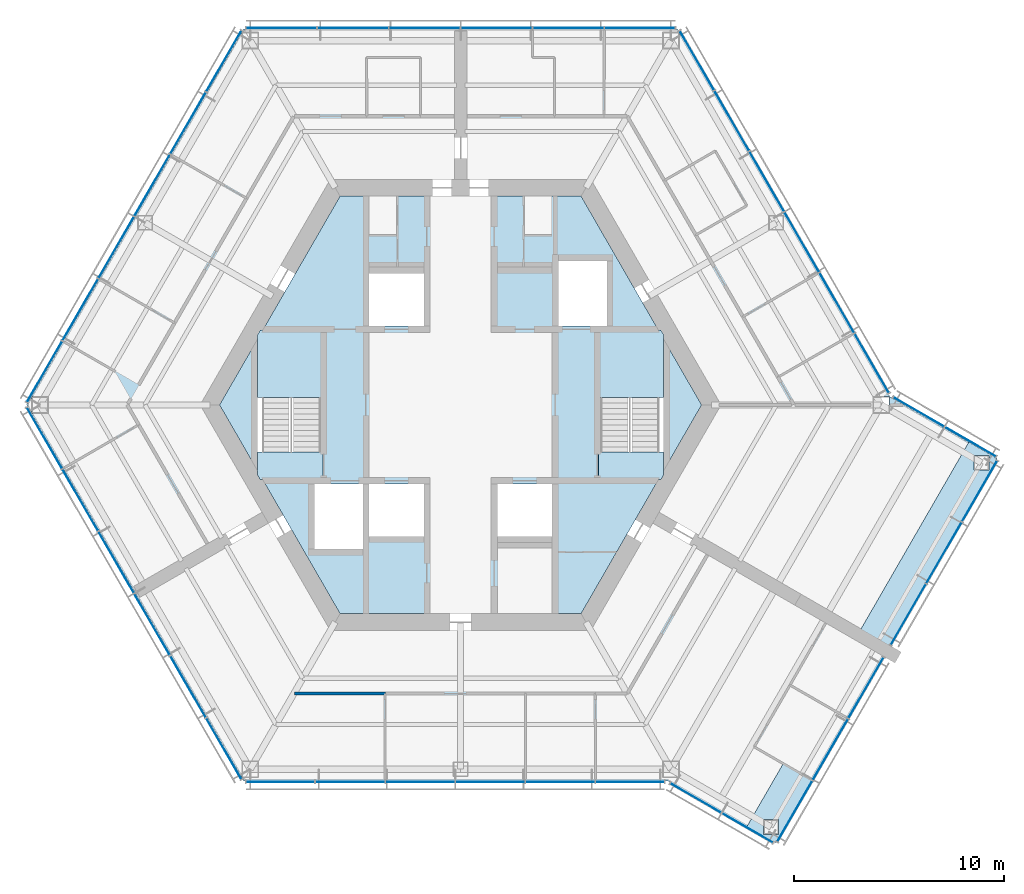
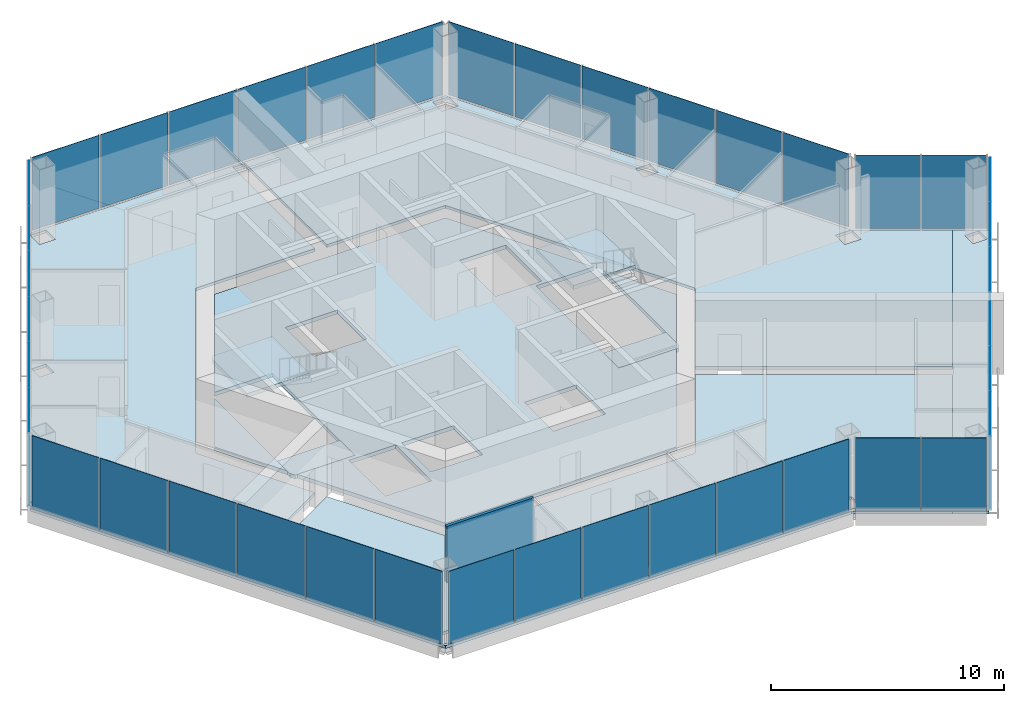
# One storey, part 6 of 13: 40 plates, 9 slabs, 1 wall, 11 elements without a shape of their own.
"""IFC4 building model written with IfcOpenShell, lengths in metres."""

import ifcopenshell
import ifcopenshell.guid

model = None  # the IFC model being written
_history = None  # IfcOwnerHistory: only IFC2X3 demands one
_inside = {}  # id of a spatial element -> (the spatial element, [elements in it])
_under = {}  # id of a project, library or spatial element -> (it, [spatial elements below it])
_declared = {}  # id of a project -> (the project, [libraries it declares])
_typed = {}  # id of a type object -> (the type object, [elements of that type])
_made_of = {}  # id of a material, layer set ... -> (it, [elements and type objects made of it])


def new_model(schema):
    """Start an empty IFC model of exactly this schema.

    Asked for "IFC4X3", IfcOpenShell would pick the latest addendum, in which some entities
    have other attributes; the version numbers below select the first issue.
    IFC2X3 requires an IfcOwnerHistory on every rooted entity: one is made here for all.
    """
    global model, _history
    if schema == "IFC4X3":
        model = ifcopenshell.file(schema_version=(4, 3, 0, 0))
    else:
        model = ifcopenshell.file(schema=schema)
    _inside.clear()
    _under.clear()
    _declared.clear()
    _typed.clear()
    _made_of.clear()
    _history = None
    if model.schema == "IFC2X3":
        org = make("IfcOrganization", Name="unknown")
        user = make(
            "IfcPersonAndOrganization",
            ThePerson=make("IfcPerson", FamilyName="unknown"),
            TheOrganization=org,
        )
        app = make(
            "IfcApplication",
            ApplicationDeveloper=org,
            Version="unknown",
            ApplicationFullName="unknown",
            ApplicationIdentifier="unknown",
        )
        _history = make(
            "IfcOwnerHistory",
            OwningUser=user,
            OwningApplication=app,
            ChangeAction="ADDED",
            CreationDate=0,
        )
    return model


def make(cls, **values):
    """One entity of the class cls with the attributes given. An attribute that is None is left unset."""
    return model.create_entity(
        cls, **{name: value for name, value in values.items() if value is not None}
    )


def rooted(cls, **values):
    """An entity with a GlobalId (a new one), such as an element, a storey or a relation."""
    return make(cls, GlobalId=ifcopenshell.guid.new(), OwnerHistory=_history, **values)


def si_unit(unit_type, name, prefix=None):
    """IfcSIUnit, for example si_unit("LENGTHUNIT", "METRE", prefix="MILLI")."""
    return make("IfcSIUnit", UnitType=unit_type, Prefix=prefix, Name=name)


def assignment(units):
    """IfcUnitAssignment: the units of a project."""
    return None if units is None else make("IfcUnitAssignment", Units=units)


def point(xyz):
    """IfcCartesianPoint."""
    return None if xyz is None else make("IfcCartesianPoint", Coordinates=xyz)


def direction(xyz):
    """IfcDirection."""
    return None if xyz is None else make("IfcDirection", DirectionRatios=xyz)


def frame(location, z_axis=None, x_axis=None):
    """IfcAxis2Placement3D, a coordinate frame: its origin and axes. An axis left out is left unset."""
    return make(
        "IfcAxis2Placement3D",
        Location=point(location),
        Axis=direction(z_axis),
        RefDirection=direction(x_axis),
    )


def frame_2d(location, x_axis=None):
    """IfcAxis2Placement2D, a coordinate frame in the plane: its origin and x axis."""
    return make(
        "IfcAxis2Placement2D", Location=point(location), RefDirection=direction(x_axis)
    )


def origin():
    """The frame at (0, 0, 0) with its axes left unset."""
    return frame((0.0, 0.0, 0.0))


def origin_2d():
    """The frame at (0, 0) in the plane with its x axis left unset."""
    return frame_2d((0.0, 0.0))


def place(relative_to, where):
    """IfcLocalPlacement: puts the frame where relative to a parent placement (None: the world)."""
    return make(
        "IfcLocalPlacement", PlacementRelTo=relative_to, RelativePlacement=where
    )


def context(
    kind, dimensions, precision=None, world=None, true_north=None, identifier=None
):
    """IfcGeometricRepresentationContext, for example the 3D "Model" context."""
    return make(
        "IfcGeometricRepresentationContext",
        ContextIdentifier=identifier,
        ContextType=kind,
        CoordinateSpaceDimension=dimensions,
        Precision=precision,
        WorldCoordinateSystem=world,
        TrueNorth=true_north,
    )


def subcontext(parent, identifier, kind, view, scale=None):
    """IfcGeometricRepresentationSubContext, for example "Body" below "Model"."""
    return make(
        "IfcGeometricRepresentationSubContext",
        ContextIdentifier=identifier,
        ContextType=kind,
        ParentContext=parent,
        TargetScale=scale,
        TargetView=view,
    )


def project(units=None, contexts=None):
    """IfcProject with its units and contexts."""
    return rooted(
        "IfcProject",
        Name="project",
        RepresentationContexts=contexts,
        UnitsInContext=assignment(units),
    )


def spatial(cls, under=None, at=None, **own):
    """A site, building, storey or space (cls), placed at a placement, below another one or the project."""
    s = rooted(cls, ObjectPlacement=at, **own)
    if under is not None:
        _under.setdefault(under.id(), (under, []))[1].append(s)
    return s


def polyline(points):
    """IfcPolyline through the points."""
    return make("IfcPolyline", Points=[point(p) for p in points])


def profile(cls, at=None, kind="AREA", **sizes):
    """A parametric profile (cls). Its sizes go by their IFC names, for example OverallWidth=200.0."""
    return make(cls, ProfileType=kind, Position=at, **sizes)


def rectangle(**sizes):
    """IfcRectangleProfileDef."""
    return profile("IfcRectangleProfileDef", **sizes)


def outline(outer, holes=None, kind="AREA"):
    """IfcArbitraryClosedProfileDef: a profile drawn as a closed curve; with holes, ...WithVoids."""
    if holes is None:
        return make("IfcArbitraryClosedProfileDef", ProfileType=kind, OuterCurve=outer)
    return make(
        "IfcArbitraryProfileDefWithVoids",
        ProfileType=kind,
        OuterCurve=outer,
        InnerCurves=holes,
    )


def extrude(swept, where, along, depth):
    """IfcExtrudedAreaSolid: the profile swept, set in the frame where, extruded along a direction by depth."""
    return make(
        "IfcExtrudedAreaSolid",
        SweptArea=swept,
        Position=where,
        ExtrudedDirection=direction(along),
        Depth=depth,
    )


def shape(context_of_items, identifier, shape_type, items):
    """IfcShapeRepresentation: the items that make up one representation, for example the "Body"."""
    return make(
        "IfcShapeRepresentation",
        ContextOfItems=context_of_items,
        RepresentationIdentifier=identifier,
        RepresentationType=shape_type,
        Items=items,
    )


def material(Name=None, Category=None):
    """IfcMaterial."""
    return make("IfcMaterial", Name=Name, Category=Category)


def layer(
    of_material, thickness, ventilated=None, Name=None, Category=None, Priority=None
):
    """IfcMaterialLayer: one layer of a wall or slab, of a material (None: an air gap)."""
    return make(
        "IfcMaterialLayer",
        Material=of_material,
        LayerThickness=thickness,
        IsVentilated=ventilated,
        Name=Name,
        Category=Category,
        Priority=Priority,
    )


def layer_set(layers, Name=None):
    """IfcMaterialLayerSet."""
    return make("IfcMaterialLayerSet", MaterialLayers=layers, LayerSetName=Name)


def made_of(thing, what):
    """Note that an element or type object is made of a material, layer set ...; save() writes the relation."""
    if what is not None:
        _made_of.setdefault(what.id(), (what, []))[1].append(thing)
    return thing


def type_object(cls, material=None, **own):
    """A type object (cls), such as IfcWallType, which elements share."""
    return made_of(rooted(cls, **own), material)


def element(
    cls,
    number,
    at=None,
    inside=None,
    cuts=None,
    type_object=None,
    material=None,
    context=None,
    identifier="Body",
    shape_type=None,
    held_by="IfcProductDefinitionShape",
    body=None,
    shapes=None,
    **own,
):
    """One element of the class cls, such as IfcWall. Its Tag is "e" and its number.

    at: its placement. inside: the storey or other place that contains it. cuts: it is an
    opening in that element (IfcRelVoidsElement). A single representation is given by context,
    identifier, shape_type and body (its items); several are given by shapes. held_by: the class
    of the entity that holds the representations. save() writes the other relations.
    """
    e = rooted(cls, Tag="e%d" % number, ObjectPlacement=at, **own)
    if body is not None:
        shapes = [shape(context, identifier, shape_type, body)]
    if shapes is not None:
        e.Representation = make(held_by, Representations=shapes)
    if inside is not None:
        _inside.setdefault(inside.id(), (inside, []))[1].append(e)
    if cuts is not None:
        rooted(
            "IfcRelVoidsElement", RelatingBuildingElement=cuts, RelatedOpeningElement=e
        )
    if type_object is not None:
        _typed.setdefault(type_object.id(), (type_object, []))[1].append(e)
    return made_of(e, material)


def aggregate(whole, parts):
    """IfcRelAggregates: a whole, such as a stair, and the parts it consists of."""
    return rooted("IfcRelAggregates", RelatingObject=whole, RelatedObjects=parts)


def save(model, path):
    """Write the relations noted so far, then the file.

    IfcRelAggregates (storeys below a building ...), IfcRelContainedInSpatialStructure (elements
    in a storey), IfcRelDefinesByType, IfcRelAssociatesMaterial and IfcRelDeclares: one each for
    every whole, place, type object, material and project.
    """
    for whole, parts in _under.values():
        aggregate(whole, parts)
    for where, things in _inside.values():
        rooted(
            "IfcRelContainedInSpatialStructure",
            RelatedElements=things,
            RelatingStructure=where,
        )
    for kind, things in _typed.values():
        rooted("IfcRelDefinesByType", RelatedObjects=things, RelatingType=kind)
    for what, things in _made_of.values():
        rooted("IfcRelAssociatesMaterial", RelatedObjects=things, RelatingMaterial=what)
    for by, libraries in _declared.values():
        rooted("IfcRelDeclares", RelatingContext=by, RelatedDefinitions=libraries)
    model.write(path)


model = new_model("IFC4")

# Units and contexts
model_context = context("Model", 3, precision=1e-05, world=origin(), true_north=direction((0.0, 1.0)))
body_context = subcontext(model_context, "Body", "Model", "MODEL_VIEW")
ifc_project = project(units=[si_unit("LENGTHUNIT", "METRE"), si_unit("AREAUNIT", "SQUARE_METRE"), si_unit("VOLUMEUNIT", "CUBIC_METRE"), si_unit("PLANEANGLEUNIT", "RADIAN"), si_unit("MASSUNIT", "GRAM", prefix="KILO")], contexts=[model_context])

# Site, building, storey
site_placement = place(None, origin())
site = spatial("IfcSite", under=ifc_project, at=site_placement, CompositionType="ELEMENT")
building_placement = place(site_placement, origin())
building = spatial("IfcBuilding", under=site, at=building_placement, Name="Kasaneha Research Tower", CompositionType="ELEMENT")
storey_placement = place(building_placement, frame((0.0, 0.0, 279.10009765625)))
storey = spatial("IfcBuildingStorey", under=building, at=storey_placement, Name="L70", CompositionType="ELEMENT", Elevation=279.10009765625)

# Curtain wall, plates
ifc_material_1 = material(Name="Glass and aluminium", Category="aluminium")
curtain_wall_type = type_object("IfcCurtainWallType", Name="Crown curtain wall", PredefinedType="USERDEFINED", material=ifc_material_1)
curtain_wall_1_placement = place(storey_placement, origin())
curtain_wall_1 = element("IfcCurtainWall", 1, at=curtain_wall_1_placement, inside=storey, type_object=curtain_wall_type, Name="CW-C L70 run 01a", ObjectType="UNITISED CURTAIN WALL", PredefinedType="USERDEFINED")
ifc_material_2 = material(Name="Laminated double glazing", Category="glass")
ifc_layer_1 = layer(ifc_material_2, 0.02587890625)
ifc_layer_set_1 = layer_set([ifc_layer_1], Name="CW-C glazed panel")
plate_type = type_object("IfcPlateType", Name="CW-C glazed panel", PredefinedType="CURTAIN_PANEL", material=ifc_layer_set_1)
plate_1_placement = place(storey_placement, frame((19.549072265625, 1.981201171875, 0.06005859375), z_axis=(0.0, 0.0, 1.0), x_axis=(-0.499999979232, 0.866025415775, 0.0)))
plate_1 = element("IfcPlate", 2, at=plate_1_placement, type_object=plate_type, Name="CW-C panel 1", PredefinedType="CURTAIN_PANEL", context=body_context, shape_type="SweptSolid", body=[
    extrude(rectangle(XDim=3.240966796875, YDim=0.02587890625, at=origin_2d()), origin(), (0.0, 0.0, 1.0), 3.840087890625),
])
plate_2_placement = place(storey_placement, frame((17.89111328125, 4.852783203125, 0.06005859375), z_axis=(0.0, 0.0, 1.0), x_axis=(-0.499999979232, 0.866025415775, 0.0)))
plate_2 = element("IfcPlate", 3, at=plate_2_placement, type_object=plate_type, Name="CW-C panel 2", PredefinedType="CURTAIN_PANEL", context=body_context, shape_type="SweptSolid", body=[
    extrude(rectangle(XDim=3.27099609375, YDim=0.02587890625, at=origin_2d()), origin(), (0.0, 0.0, 1.0), 3.840087890625),
])
plate_3_placement = place(storey_placement, frame((16.2255859375, 7.737548828125, 0.06005859375), z_axis=(0.0, 0.0, 1.0), x_axis=(-0.499999979232, 0.866025415775, 0.0)))
plate_3 = element("IfcPlate", 4, at=plate_3_placement, type_object=plate_type, Name="CW-C panel 3", PredefinedType="CURTAIN_PANEL", context=body_context, shape_type="SweptSolid", body=[
    extrude(rectangle(XDim=3.27099609375, YDim=0.02587890625, at=origin_2d()), origin(), (0.0, 0.0, 1.0), 3.840087890625),
])
plate_4_placement = place(storey_placement, frame((14.56005859375, 10.622314453125, 0.06005859375), z_axis=(0.0, 0.0, 1.0), x_axis=(-0.499999979232, 0.866025415775, 0.0)))
plate_4 = element("IfcPlate", 5, at=plate_4_placement, type_object=plate_type, Name="CW-C panel 4", PredefinedType="CURTAIN_PANEL", context=body_context, shape_type="SweptSolid", body=[
    extrude(rectangle(XDim=3.27099609375, YDim=0.02587890625, at=origin_2d()), origin(), (0.0, 0.0, 1.0), 3.840087890625),
])
plate_5_placement = place(storey_placement, frame((12.89453125, 13.5068359375, 0.06005859375), z_axis=(0.0, 0.0, 1.0), x_axis=(-0.499999979232, 0.866025415775, 0.0)))
plate_5 = element("IfcPlate", 6, at=plate_5_placement, type_object=plate_type, Name="CW-C panel 5", PredefinedType="CURTAIN_PANEL", context=body_context, shape_type="SweptSolid", body=[
    extrude(rectangle(XDim=3.27099609375, YDim=0.02587890625, at=origin_2d()), origin(), (0.0, 0.0, 1.0), 3.840087890625),
])
plate_6_placement = place(storey_placement, frame((11.236572265625, 16.378662109375, 0.06005859375), z_axis=(0.0, 0.0, 1.0), x_axis=(-0.499999979232, 0.866025415775, 0.0)))
plate_6 = element("IfcPlate", 7, at=plate_6_placement, type_object=plate_type, Name="CW-C panel 6", PredefinedType="CURTAIN_PANEL", context=body_context, shape_type="SweptSolid", body=[
    extrude(rectangle(XDim=3.240966796875, YDim=0.02587890625, at=origin_2d()), origin(), (0.0, 0.0, 1.0), 3.840087890625),
])
aggregate(curtain_wall_1, [plate_1, plate_2, plate_3, plate_4, plate_5, plate_6])

curtain_wall_2_placement = place(storey_placement, origin())
curtain_wall_2 = element("IfcCurtainWall", 8, at=curtain_wall_2_placement, inside=storey, type_object=curtain_wall_type, Name="CW-C L70 run 02a", ObjectType="UNITISED CURTAIN WALL", PredefinedType="USERDEFINED")
plate_7_placement = place(storey_placement, frame((8.523681640625, 17.92041015625, 0.06005859375), z_axis=(0.0, 0.0, 1.0), x_axis=(-1.0, 0.0, 0.0)))
plate_7 = element("IfcPlate", 9, at=plate_7_placement, type_object=plate_type, Name="CW-C panel 1", PredefinedType="CURTAIN_PANEL", context=body_context, shape_type="SweptSolid", body=[
    extrude(rectangle(XDim=3.325439453125, YDim=0.02587890625, at=origin_2d()), origin(), (0.0, 0.0, 1.0), 3.840087890625),
])
plate_8_placement = place(storey_placement, frame((5.123291015625, 17.92041015625, 0.06005859375), z_axis=(0.0, 0.0, 1.0), x_axis=(-1.0, 0.0, 0.0)))
plate_8 = element("IfcPlate", 10, at=plate_8_placement, type_object=plate_type, Name="CW-C panel 2", PredefinedType="CURTAIN_PANEL", context=body_context, shape_type="SweptSolid", body=[
    extrude(rectangle(XDim=3.35546875, YDim=0.02587890625, at=origin_2d()), origin(), (0.0, 0.0, 1.0), 3.840087890625),
])
plate_9_placement = place(storey_placement, frame((1.707763671875, 17.92041015625, 0.06005859375), z_axis=(0.0, 0.0, 1.0), x_axis=(-1.0, 0.0, 0.0)))
plate_9 = element("IfcPlate", 11, at=plate_9_placement, type_object=plate_type, Name="CW-C panel 3", PredefinedType="CURTAIN_PANEL", context=body_context, shape_type="SweptSolid", body=[
    extrude(rectangle(XDim=3.35546875, YDim=0.02587890625, at=origin_2d()), origin(), (0.0, 0.0, 1.0), 3.840087890625),
])
plate_10_placement = place(storey_placement, frame((-1.707763671875, 17.92041015625, 0.06005859375), z_axis=(0.0, 0.0, 1.0), x_axis=(-1.0, 0.0, 0.0)))
plate_10 = element("IfcPlate", 12, at=plate_10_placement, type_object=plate_type, Name="CW-C panel 4", PredefinedType="CURTAIN_PANEL", context=body_context, shape_type="SweptSolid", body=[
    extrude(rectangle(XDim=3.35546875, YDim=0.02587890625, at=origin_2d()), origin(), (0.0, 0.0, 1.0), 3.840087890625),
])
plate_11_placement = place(storey_placement, frame((-5.123291015625, 17.92041015625, 0.06005859375), z_axis=(0.0, 0.0, 1.0), x_axis=(-1.0, 0.0, 0.0)))
plate_11 = element("IfcPlate", 13, at=plate_11_placement, type_object=plate_type, Name="CW-C panel 5", PredefinedType="CURTAIN_PANEL", context=body_context, shape_type="SweptSolid", body=[
    extrude(rectangle(XDim=3.35546875, YDim=0.02587890625, at=origin_2d()), origin(), (0.0, 0.0, 1.0), 3.840087890625),
])
plate_12_placement = place(storey_placement, frame((-8.523681640625, 17.92041015625, 0.06005859375), z_axis=(0.0, 0.0, 1.0), x_axis=(-1.0, 0.0, 0.0)))
plate_12 = element("IfcPlate", 14, at=plate_12_placement, type_object=plate_type, Name="CW-C panel 6", PredefinedType="CURTAIN_PANEL", context=body_context, shape_type="SweptSolid", body=[
    extrude(rectangle(XDim=3.325439453125, YDim=0.02587890625, at=origin_2d()), origin(), (0.0, 0.0, 1.0), 3.840087890625),
])
aggregate(curtain_wall_2, [plate_7, plate_8, plate_9, plate_10, plate_11, plate_12])

curtain_wall_3_placement = place(storey_placement, origin())
curtain_wall_3 = element("IfcCurtainWall", 15, at=curtain_wall_3_placement, inside=storey, type_object=curtain_wall_type, Name="CW-C L70 run 03a", ObjectType="UNITISED CURTAIN WALL", PredefinedType="USERDEFINED")
plate_13_placement = place(storey_placement, frame((-11.2578125, 16.342041015625, 0.06005859375), z_axis=(0.0, 0.0, 1.0), x_axis=(-0.499999995722, -0.866025406254, 0.0)))
plate_13 = element("IfcPlate", 16, at=plate_13_placement, type_object=plate_type, Name="CW-C panel 1", PredefinedType="CURTAIN_PANEL", context=body_context, shape_type="SweptSolid", body=[
    extrude(rectangle(XDim=3.325439453125, YDim=0.02587890625, at=origin_2d()), origin(), (0.0, 0.0, 1.0), 3.840087890625),
])
plate_14_placement = place(storey_placement, frame((-12.9580078125, 13.39697265625, 0.06005859375), z_axis=(0.0, 0.0, 1.0), x_axis=(-0.499999995722, -0.866025406254, 0.0)))
plate_14 = element("IfcPlate", 17, at=plate_14_placement, type_object=plate_type, Name="CW-C panel 2", PredefinedType="CURTAIN_PANEL", context=body_context, shape_type="SweptSolid", body=[
    extrude(rectangle(XDim=3.35546875, YDim=0.02587890625, at=origin_2d()), origin(), (0.0, 0.0, 1.0), 3.840087890625),
])
plate_15_placement = place(storey_placement, frame((-14.665771484375, 10.439208984375, 0.06005859375), z_axis=(0.0, 0.0, 1.0), x_axis=(-0.499999995722, -0.866025406254, 0.0)))
plate_15 = element("IfcPlate", 18, at=plate_15_placement, type_object=plate_type, Name="CW-C panel 3", PredefinedType="CURTAIN_PANEL", context=body_context, shape_type="SweptSolid", body=[
    extrude(rectangle(XDim=3.35546875, YDim=0.02587890625, at=origin_2d()), origin(), (0.0, 0.0, 1.0), 3.840087890625),
])
plate_16_placement = place(storey_placement, frame((-16.37353515625, 7.481201171875, 0.06005859375), z_axis=(0.0, 0.0, 1.0), x_axis=(-0.499999995722, -0.866025406254, 0.0)))
plate_16 = element("IfcPlate", 19, at=plate_16_placement, type_object=plate_type, Name="CW-C panel 4", PredefinedType="CURTAIN_PANEL", context=body_context, shape_type="SweptSolid", body=[
    extrude(rectangle(XDim=3.35546875, YDim=0.02587890625, at=origin_2d()), origin(), (0.0, 0.0, 1.0), 3.840087890625),
])
plate_17_placement = place(storey_placement, frame((-18.081298828125, 4.5234375, 0.06005859375), z_axis=(0.0, 0.0, 1.0), x_axis=(-0.499999995722, -0.866025406254, 0.0)))
plate_17 = element("IfcPlate", 20, at=plate_17_placement, type_object=plate_type, Name="CW-C panel 5", PredefinedType="CURTAIN_PANEL", context=body_context, shape_type="SweptSolid", body=[
    extrude(rectangle(XDim=3.35546875, YDim=0.02587890625, at=origin_2d()), origin(), (0.0, 0.0, 1.0), 3.840087890625),
])
plate_18_placement = place(storey_placement, frame((-19.781494140625, 1.57861328125, 0.06005859375), z_axis=(0.0, 0.0, 1.0), x_axis=(-0.499999995722, -0.866025406254, 0.0)))
plate_18 = element("IfcPlate", 21, at=plate_18_placement, type_object=plate_type, Name="CW-C panel 6", PredefinedType="CURTAIN_PANEL", context=body_context, shape_type="SweptSolid", body=[
    extrude(rectangle(XDim=3.325439453125, YDim=0.02587890625, at=origin_2d()), origin(), (0.0, 0.0, 1.0), 3.840087890625),
])
aggregate(curtain_wall_3, [plate_13, plate_14, plate_15, plate_16, plate_17, plate_18])

curtain_wall_4_placement = place(storey_placement, origin())
curtain_wall_4 = element("IfcCurtainWall", 22, at=curtain_wall_4_placement, inside=storey, type_object=curtain_wall_type, Name="CW-C L70 run 04a", ObjectType="UNITISED CURTAIN WALL", PredefinedType="USERDEFINED")
plate_19_placement = place(storey_placement, frame((-19.781494140625, -1.57861328125, 0.06005859375), z_axis=(0.0, 0.0, 1.0), x_axis=(0.499999995722, -0.866025406254, 0.0)))
plate_19 = element("IfcPlate", 23, at=plate_19_placement, type_object=plate_type, Name="CW-C panel 1", PredefinedType="CURTAIN_PANEL", context=body_context, shape_type="SweptSolid", body=[
    extrude(rectangle(XDim=3.325439453125, YDim=0.02587890625, at=origin_2d()), origin(), (0.0, 0.0, 1.0), 3.840087890625),
])
plate_20_placement = place(storey_placement, frame((-18.081298828125, -4.5234375, 0.06005859375), z_axis=(0.0, 0.0, 1.0), x_axis=(0.499999995722, -0.866025406254, 0.0)))
plate_20 = element("IfcPlate", 24, at=plate_20_placement, type_object=plate_type, Name="CW-C panel 2", PredefinedType="CURTAIN_PANEL", context=body_context, shape_type="SweptSolid", body=[
    extrude(rectangle(XDim=3.35546875, YDim=0.02587890625, at=origin_2d()), origin(), (0.0, 0.0, 1.0), 3.840087890625),
])
plate_21_placement = place(storey_placement, frame((-16.37353515625, -7.481201171875, 0.06005859375), z_axis=(0.0, 0.0, 1.0), x_axis=(0.499999995722, -0.866025406254, 0.0)))
plate_21 = element("IfcPlate", 25, at=plate_21_placement, type_object=plate_type, Name="CW-C panel 3", PredefinedType="CURTAIN_PANEL", context=body_context, shape_type="SweptSolid", body=[
    extrude(rectangle(XDim=3.35546875, YDim=0.02587890625, at=origin_2d()), origin(), (0.0, 0.0, 1.0), 3.840087890625),
])
plate_22_placement = place(storey_placement, frame((-14.665771484375, -10.439208984375, 0.06005859375), z_axis=(0.0, 0.0, 1.0), x_axis=(0.499999995722, -0.866025406254, 0.0)))
plate_22 = element("IfcPlate", 26, at=plate_22_placement, type_object=plate_type, Name="CW-C panel 4", PredefinedType="CURTAIN_PANEL", context=body_context, shape_type="SweptSolid", body=[
    extrude(rectangle(XDim=3.35546875, YDim=0.02587890625, at=origin_2d()), origin(), (0.0, 0.0, 1.0), 3.840087890625),
])
plate_23_placement = place(storey_placement, frame((-12.9580078125, -13.39697265625, 0.06005859375), z_axis=(0.0, 0.0, 1.0), x_axis=(0.499999995722, -0.866025406254, 0.0)))
plate_23 = element("IfcPlate", 27, at=plate_23_placement, type_object=plate_type, Name="CW-C panel 5", PredefinedType="CURTAIN_PANEL", context=body_context, shape_type="SweptSolid", body=[
    extrude(rectangle(XDim=3.35546875, YDim=0.02587890625, at=origin_2d()), origin(), (0.0, 0.0, 1.0), 3.840087890625),
])
plate_24_placement = place(storey_placement, frame((-11.2578125, -16.342041015625, 0.06005859375), z_axis=(0.0, 0.0, 1.0), x_axis=(0.499999995722, -0.866025406254, 0.0)))
plate_24 = element("IfcPlate", 28, at=plate_24_placement, type_object=plate_type, Name="CW-C panel 6", PredefinedType="CURTAIN_PANEL", context=body_context, shape_type="SweptSolid", body=[
    extrude(rectangle(XDim=3.325439453125, YDim=0.02587890625, at=origin_2d()), origin(), (0.0, 0.0, 1.0), 3.840087890625),
])
aggregate(curtain_wall_4, [plate_19, plate_20, plate_21, plate_22, plate_23, plate_24])

curtain_wall_5_placement = place(storey_placement, origin())
curtain_wall_5 = element("IfcCurtainWall", 29, at=curtain_wall_5_placement, inside=storey, type_object=curtain_wall_type, Name="CW-C L70 run 05a", ObjectType="UNITISED CURTAIN WALL", PredefinedType="USERDEFINED")
plate_25_placement = place(storey_placement, frame((-8.56591796875, -17.92041015625, 0.06005859375), z_axis=(0.0, 0.0, 1.0), x_axis=(1.0, 0.0, 0.0)))
plate_25 = element("IfcPlate", 30, at=plate_25_placement, type_object=plate_type, Name="CW-C panel 1", PredefinedType="CURTAIN_PANEL", context=body_context, shape_type="SweptSolid", body=[
    extrude(rectangle(XDim=3.240966796875, YDim=0.02587890625, at=origin_2d()), origin(), (0.0, 0.0, 1.0), 3.840087890625),
])
plate_26_placement = place(storey_placement, frame((-5.25, -17.92041015625, 0.06005859375), z_axis=(0.0, 0.0, 1.0), x_axis=(1.0, 0.0, 0.0)))
plate_26 = element("IfcPlate", 31, at=plate_26_placement, type_object=plate_type, Name="CW-C panel 2", PredefinedType="CURTAIN_PANEL", context=body_context, shape_type="SweptSolid", body=[
    extrude(rectangle(XDim=3.27099609375, YDim=0.02587890625, at=origin_2d()), origin(), (0.0, 0.0, 1.0), 3.840087890625),
])
plate_27_placement = place(storey_placement, frame((-1.9189453125, -17.92041015625, 0.06005859375), z_axis=(0.0, 0.0, 1.0), x_axis=(1.0, 0.0, 0.0)))
plate_27 = element("IfcPlate", 32, at=plate_27_placement, type_object=plate_type, Name="CW-C panel 3", PredefinedType="CURTAIN_PANEL", context=body_context, shape_type="SweptSolid", body=[
    extrude(rectangle(XDim=3.27099609375, YDim=0.02587890625, at=origin_2d()), origin(), (0.0, 0.0, 1.0), 3.840087890625),
])
plate_28_placement = place(storey_placement, frame((1.411865234375, -17.92041015625, 0.06005859375), z_axis=(0.0, 0.0, 1.0), x_axis=(1.0, 0.0, 0.0)))
plate_28 = element("IfcPlate", 33, at=plate_28_placement, type_object=plate_type, Name="CW-C panel 4", PredefinedType="CURTAIN_PANEL", context=body_context, shape_type="SweptSolid", body=[
    extrude(rectangle(XDim=3.27099609375, YDim=0.02587890625, at=origin_2d()), origin(), (0.0, 0.0, 1.0), 3.840087890625),
])
plate_29_placement = place(storey_placement, frame((4.742919921875, -17.92041015625, 0.06005859375), z_axis=(0.0, 0.0, 1.0), x_axis=(1.0, 0.0, 0.0)))
plate_29 = element("IfcPlate", 34, at=plate_29_placement, type_object=plate_type, Name="CW-C panel 5", PredefinedType="CURTAIN_PANEL", context=body_context, shape_type="SweptSolid", body=[
    extrude(rectangle(XDim=3.27099609375, YDim=0.02587890625, at=origin_2d()), origin(), (0.0, 0.0, 1.0), 3.840087890625),
])
plate_30_placement = place(storey_placement, frame((8.058837890625, -17.92041015625, 0.06005859375), z_axis=(0.0, 0.0, 1.0), x_axis=(1.0, 0.0, 0.0)))
plate_30 = element("IfcPlate", 35, at=plate_30_placement, type_object=plate_type, Name="CW-C panel 6", PredefinedType="CURTAIN_PANEL", context=body_context, shape_type="SweptSolid", body=[
    extrude(rectangle(XDim=3.240966796875, YDim=0.02587890625, at=origin_2d()), origin(), (0.0, 0.0, 1.0), 3.840087890625),
])
aggregate(curtain_wall_5, [plate_25, plate_26, plate_27, plate_28, plate_29, plate_30])

curtain_wall_6_placement = place(storey_placement, origin())
curtain_wall_6 = element("IfcCurtainWall", 36, at=curtain_wall_6_placement, inside=storey, type_object=curtain_wall_type, Name="CW-C L70 run 06a", ObjectType="UNITISED CURTAIN WALL", PredefinedType="USERDEFINED")
plate_31_placement = place(storey_placement, frame((11.181396484375, -18.6953125, 0.06005859375), z_axis=(0.0, 0.0, 1.0), x_axis=(0.866025443395, -0.499999931393, 0.0)))
plate_31 = element("IfcPlate", 37, at=plate_31_placement, type_object=plate_type, Name="CW-C panel 1", PredefinedType="CURTAIN_PANEL", context=body_context, shape_type="SweptSolid", body=[
    extrude(rectangle(XDim=2.779541015625, YDim=0.02587890625, at=origin_2d()), origin(), (0.0, 0.0, 1.0), 3.840087890625),
])
plate_32_placement = place(storey_placement, frame((13.640625, -20.115234375, 0.06005859375), z_axis=(0.0, 0.0, 1.0), x_axis=(0.866025443395, -0.499999931393, 0.0)))
plate_32 = element("IfcPlate", 38, at=plate_32_placement, type_object=plate_type, Name="CW-C panel 2", PredefinedType="CURTAIN_PANEL", context=body_context, shape_type="SweptSolid", body=[
    extrude(rectangle(XDim=2.779541015625, YDim=0.02587890625, at=origin_2d()), origin(), (0.0, 0.0, 1.0), 3.840087890625),
])
aggregate(curtain_wall_6, [plate_31, plate_32])

curtain_wall_7_placement = place(storey_placement, origin())
curtain_wall_7 = element("IfcCurtainWall", 39, at=curtain_wall_7_placement, inside=storey, type_object=curtain_wall_type, Name="CW-C L70 run 07a", ObjectType="UNITISED CURTAIN WALL", PredefinedType="USERDEFINED")
plate_33_placement = place(storey_placement, frame((15.89013671875, -19.318359375, 0.06005859375), z_axis=(0.0, 0.0, 1.0), x_axis=(0.500000011442, 0.866025397178, 0.0)))
plate_33 = element("IfcPlate", 40, at=plate_33_placement, type_object=plate_type, Name="CW-C panel 1", PredefinedType="CURTAIN_PANEL", context=body_context, shape_type="SweptSolid", body=[
    extrude(rectangle(XDim=3.31005859375, YDim=0.02587890625, at=origin_2d()), origin(), (0.0, 0.0, 1.0), 3.840087890625),
])
plate_34_placement = place(storey_placement, frame((17.582763671875, -16.38671875, 0.06005859375), z_axis=(0.0, 0.0, 1.0), x_axis=(0.500000011442, 0.866025397178, 0.0)))
plate_34 = element("IfcPlate", 41, at=plate_34_placement, type_object=plate_type, Name="CW-C panel 2", PredefinedType="CURTAIN_PANEL", context=body_context, shape_type="SweptSolid", body=[
    extrude(rectangle(XDim=3.340087890625, YDim=0.02587890625, at=origin_2d()), origin(), (0.0, 0.0, 1.0), 3.840087890625),
])
plate_35_placement = place(storey_placement, frame((19.275146484375, -13.455322265625, 0.06005859375), z_axis=(0.0, 0.0, 1.0), x_axis=(0.500000011442, 0.866025397178, 0.0)))
plate_35 = element("IfcPlate", 42, at=plate_35_placement, type_object=plate_type, Name="CW-C panel 3", PredefinedType="CURTAIN_PANEL", context=body_context, shape_type="SweptSolid", body=[
    extrude(rectangle(XDim=3.31005859375, YDim=0.02587890625, at=origin_2d()), origin(), (0.0, 0.0, 1.0), 3.840087890625),
])
aggregate(curtain_wall_7, [plate_33, plate_34, plate_35])

curtain_wall_8_placement = place(storey_placement, origin())
curtain_wall_8 = element("IfcCurtainWall", 43, at=curtain_wall_8_placement, inside=storey, type_object=curtain_wall_type, Name="CW-C L70 run 08a", ObjectType="UNITISED CURTAIN WALL", PredefinedType="USERDEFINED")
plate_36_placement = place(storey_placement, frame((21.290283203125, -9.96533203125, 0.06005859375), z_axis=(0.0, 0.0, 1.0), x_axis=(0.500000011442, 0.866025397178, 0.0)))
plate_36 = element("IfcPlate", 44, at=plate_36_placement, type_object=plate_type, Name="CW-C panel 1", PredefinedType="CURTAIN_PANEL", context=body_context, shape_type="SweptSolid", body=[
    extrude(rectangle(XDim=3.31005859375, YDim=0.02587890625, at=origin_2d()), origin(), (0.0, 0.0, 1.0), 3.840087890625),
])
plate_37_placement = place(storey_placement, frame((22.982666015625, -7.03369140625, 0.06005859375), z_axis=(0.0, 0.0, 1.0), x_axis=(0.500000011442, 0.866025397178, 0.0)))
plate_37 = element("IfcPlate", 45, at=plate_37_placement, type_object=plate_type, Name="CW-C panel 2", PredefinedType="CURTAIN_PANEL", context=body_context, shape_type="SweptSolid", body=[
    extrude(rectangle(XDim=3.340087890625, YDim=0.02587890625, at=origin_2d()), origin(), (0.0, 0.0, 1.0), 3.840087890625),
])
plate_38_placement = place(storey_placement, frame((24.67529296875, -4.102294921875, 0.06005859375), z_axis=(0.0, 0.0, 1.0), x_axis=(0.500000011442, 0.866025397178, 0.0)))
plate_38 = element("IfcPlate", 46, at=plate_38_placement, type_object=plate_type, Name="CW-C panel 3", PredefinedType="CURTAIN_PANEL", context=body_context, shape_type="SweptSolid", body=[
    extrude(rectangle(XDim=3.31005859375, YDim=0.02587890625, at=origin_2d()), origin(), (0.0, 0.0, 1.0), 3.840087890625),
])
aggregate(curtain_wall_8, [plate_36, plate_37, plate_38])

curtain_wall_9_placement = place(storey_placement, origin())
curtain_wall_9 = element("IfcCurtainWall", 47, at=curtain_wall_9_placement, inside=storey, type_object=curtain_wall_type, Name="CW-C L70 run 09a", ObjectType="UNITISED CURTAIN WALL", PredefinedType="USERDEFINED")
plate_39_placement = place(storey_placement, frame((24.240478515625, -1.75537109375, 0.06005859375), z_axis=(0.0, 0.0, 1.0), x_axis=(-0.866025443395, 0.499999931393, 0.0)))
plate_39 = element("IfcPlate", 48, at=plate_39_placement, type_object=plate_type, Name="CW-C panel 1", PredefinedType="CURTAIN_PANEL", context=body_context, shape_type="SweptSolid", body=[
    extrude(rectangle(XDim=2.779541015625, YDim=0.02587890625, at=origin_2d()), origin(), (0.0, 0.0, 1.0), 3.840087890625),
])
plate_40_placement = place(storey_placement, frame((21.781494140625, -0.335693359375, 0.06005859375), z_axis=(0.0, 0.0, 1.0), x_axis=(-0.866025443395, 0.499999931393, 0.0)))
plate_40 = element("IfcPlate", 49, at=plate_40_placement, type_object=plate_type, Name="CW-C panel 2", PredefinedType="CURTAIN_PANEL", context=body_context, shape_type="SweptSolid", body=[
    extrude(rectangle(XDim=2.779541015625, YDim=0.02587890625, at=origin_2d()), origin(), (0.0, 0.0, 1.0), 3.840087890625),
])
aggregate(curtain_wall_9, [plate_39, plate_40])

# Slabs
ifc_material_3 = material(Name="Concrete Fc24", Category="concrete")
ifc_layer_2 = layer(ifc_material_3, 0.199951171875)
ifc_layer_set_2 = layer_set([ifc_layer_2], Name="Core floor slab 200")
slab_type_1 = type_object("IfcSlabType", Name="Core floor slab 200", PredefinedType="FLOOR", material=ifc_layer_set_2)
slab_1_placement = place(storey_placement, frame((0.0, 0.0, -0.2001953125)))
element("IfcSlab", 50, at=slab_1_placement, inside=storey, type_object=slab_type_1, Name="Core slab L70", PredefinedType="FLOOR", context=body_context, shape_type="SweptSolid", body=[
    extrude(outline(polyline([(-11.46044921875, 0.0), (-9.64990234375, 3.1357421875), (-9.64990234375, -3.1357421875), (-11.46044921875, 0.0)])), origin(), (0.0, 0.0, 1.0), 0.2001953125),
])
slab_2_placement = place(storey_placement, frame((0.0, 0.0, -0.2001953125)))
element("IfcSlab", 51, at=slab_2_placement, inside=storey, type_object=slab_type_1, Name="Core slab L70", PredefinedType="FLOOR", context=body_context, shape_type="SweptSolid", body=[
    extrude(outline(polyline([(-5.730224609375, 9.925048828125), (5.730224609375, 9.925048828125), (9.410888671875, 3.550048828125), (6.550048828125, 3.550048828125), (6.550048828125, -3.550048828125), (9.410888671875, -3.550048828125), (5.730224609375, -9.925048828125), (-5.730224609375, -9.925048828125), (-9.410888671875, -3.550048828125), (-6.550048828125, -3.550048828125), (-6.550048828125, 3.550048828125), (-9.410888671875, 3.550048828125), (-5.730224609375, 9.925048828125)]), holes=[polyline([(-6.949951171875, -6.85009765625), (-4.64990234375, -6.85009765625), (-4.64990234375, -3.75), (-6.949951171875, -3.75), (-6.949951171875, -6.85009765625)]), polyline([(-4.35009765625, -3.75), (-4.35009765625, -6.25), (-1.75, -6.25), (-1.75, -3.75), (-4.35009765625, -3.75)]), polyline([(1.75, -3.75), (1.75, -6.25), (4.35009765625, -6.25), (4.35009765625, -3.75), (1.75, -3.75)]), polyline([(-4.35009765625, 6.25), (-4.35009765625, 3.75), (-1.75, 3.75), (-1.75, 6.25), (-4.35009765625, 6.25)]), polyline([(4.64990234375, 6.85009765625), (4.64990234375, 3.75), (6.949951171875, 3.75), (6.949951171875, 6.85009765625), (4.64990234375, 6.85009765625)])]), origin(), (0.0, 0.0, 1.0), 0.2001953125),
])
slab_3_placement = place(storey_placement, frame((0.0, 0.0, -0.2001953125)))
element("IfcSlab", 52, at=slab_3_placement, inside=storey, type_object=slab_type_1, Name="Core slab L70", PredefinedType="FLOOR", context=body_context, shape_type="SweptSolid", body=[
    extrude(outline(polyline([(11.46044921875, 0.0), (9.64990234375, -3.1357421875), (9.64990234375, 3.1357421875), (11.46044921875, 0.0)])), origin(), (0.0, 0.0, 1.0), 0.2001953125),
])
ifc_material_4 = material(Name="Concrete Fc24", Category="concrete")
ifc_layer_3 = layer(ifc_material_4, 0.14990234375)
ifc_layer_set_3 = layer_set([ifc_layer_3], Name="Floor slab 150")
slab_type_2 = type_object("IfcSlabType", Name="Floor slab 150", PredefinedType="FLOOR", material=ifc_layer_set_3)
slab_4_placement = place(storey_placement, frame((0.0, 0.0, -0.150146484375)))
element("IfcSlab", 53, at=slab_4_placement, inside=storey, type_object=slab_type_2, Name="Floor slab L70 1", PredefinedType="FLOOR", context=body_context, shape_type="SweptSolid", body=[
    extrude(outline(polyline([(-10.317626953125, -17.87060546875), (-10.3974609375, -17.732177734375), (-10.385986328125, -17.720703125), (-9.599853515625, -17.720703125), (-9.599853515625, -16.92041015625), (-10.400146484375, -16.92041015625), (-10.400146484375, -17.70654296875), (-10.40771484375, -17.714111328125), (-20.635009765625, 0.0), (-20.40771484375, 0.3935546875), (-20.400146484375, 0.385986328125), (-20.400146484375, -0.400146484375), (-19.599853515625, -0.400146484375), (-19.599853515625, 0.400146484375), (-20.385986328125, 0.400146484375), (-20.3974609375, 0.41162109375), (-10.40771484375, 17.714111328125), (-10.400146484375, 17.70654296875), (-10.400146484375, 16.92041015625), (-9.599853515625, 16.92041015625), (-9.599853515625, 17.720703125), (-10.385986328125, 17.720703125), (-10.3974609375, 17.732177734375), (-10.317626953125, 17.87060546875), (10.317626953125, 17.87060546875), (10.3974609375, 17.732177734375), (10.385986328125, 17.720703125), (9.599853515625, 17.720703125), (9.599853515625, 16.92041015625), (10.400146484375, 16.92041015625), (10.400146484375, 17.70654296875), (10.40771484375, 17.714111328125), (20.3974609375, 0.41162109375), (20.385986328125, 0.400146484375), (19.599853515625, 0.400146484375), (19.599853515625, -0.400146484375), (20.400146484375, -0.400146484375), (20.400146484375, 0.385986328125), (20.41162109375, 0.3974609375), (24.163330078125, -1.768798828125), (19.038330078125, -10.6455078125), (9.438232421875, -5.102783203125), (12.38427734375, 0.0), (6.192138671875, 10.72509765625), (0.300048828125, 10.72509765625), (0.300048828125, 17.7705078125), (-0.300048828125, 17.7705078125), (-0.300048828125, 10.72509765625), (-6.192138671875, 10.72509765625), (-12.38427734375, 0.0), (-9.438232421875, -5.102783203125), (-15.539794921875, -8.62548828125), (-15.23974609375, -9.14501953125), (-9.13818359375, -5.622314453125), (-6.192138671875, -10.72509765625), (6.192138671875, -10.72509765625), (9.13818359375, -5.622314453125), (18.738525390625, -11.1650390625), (13.613525390625, -20.041748046875), (9.8525390625, -17.87060546875), (-10.317626953125, -17.87060546875)]), holes=[polyline([(0.35009765625, -17.67041015625), (0.35009765625, -16.970458984375), (-0.35009765625, -16.970458984375), (-0.35009765625, -17.67041015625), (0.35009765625, -17.67041015625)]), polyline([(-15.35009765625, 8.310302734375), (-14.64990234375, 8.310302734375), (-14.64990234375, 9.01025390625), (-15.35009765625, 9.01025390625), (-15.35009765625, 8.310302734375)]), polyline([(9.60009765625, -17.720458984375), (10.39990234375, -17.720458984375), (10.39990234375, -16.92041015625), (9.60009765625, -16.92041015625), (9.60009765625, -17.720458984375)]), polyline([(14.64990234375, 8.310302734375), (15.35009765625, 8.310302734375), (15.35009765625, 9.01025390625), (14.64990234375, 9.01025390625), (14.64990234375, 8.310302734375)])]), origin(), (0.0, 0.0, 1.0), 0.150146484375),
])
slab_5_placement = place(storey_placement, frame((0.0, 0.0, -0.150146484375)))
element("IfcSlab", 54, at=slab_5_placement, inside=storey, type_object=slab_type_2, Name="Floor slab L70 2", PredefinedType="FLOOR", context=body_context, shape_type="SweptSolid", body=[
    extrude(outline(polyline([(25.514404296875, -2.548583984375), (14.96435546875, -20.82177734375), (13.613525390625, -20.041748046875), (18.738525390625, -11.1650390625), (18.7470703125, -11.170166015625), (19.047119140625, -10.650390625), (19.038330078125, -10.6455078125), (24.163330078125, -1.768798828125), (25.514404296875, -2.548583984375)]), holes=[polyline([(14.4130859375, -20.42041015625), (15.113037109375, -20.42041015625), (15.113037109375, -19.720458984375), (14.4130859375, -19.720458984375), (14.4130859375, -20.42041015625)]), polyline([(24.4130859375, -3.10009765625), (25.113037109375, -3.10009765625), (25.113037109375, -2.39990234375), (24.4130859375, -2.39990234375), (24.4130859375, -3.10009765625)])]), origin(), (0.0, 0.0, 1.0), 0.150146484375),
])

# Stair, slabs
ifc_material_5 = material(Name="Concrete Fc24", Category="concrete")
stair_type = type_object("IfcStairType", Name="Half-turn stair 22 risers", PredefinedType="HALF_TURN_STAIR", material=ifc_material_5)
stair_1_placement = place(storey_placement, origin())
stair_1 = element("IfcStair", 55, at=stair_1_placement, inside=storey, type_object=stair_type, Name="Stair 1 L70", PredefinedType="HALF_TURN_STAIR")
ifc_material_6 = material(Name="Concrete Fc24", Category="concrete")
ifc_layer_4 = layer(ifc_material_6, 0.199951171875)
ifc_layer_set_4 = layer_set([ifc_layer_4], Name="Stair 1 landing 200")
slab_type_3 = type_object("IfcSlabType", Name="Stair 1 landing 200", PredefinedType="LANDING", material=ifc_layer_set_4)
slab_6_placement = place(storey_placement, frame((0.0, 0.0, -0.2001953125)))
slab_6 = element("IfcSlab", 56, at=slab_6_placement, type_object=slab_type_3, Name="ST1-22R landing 1", PredefinedType="LANDING", context=body_context, shape_type="SweptSolid", body=[
    extrude(outline(polyline([(9.5263671875, -3.550048828125), (6.550048828125, -3.550048828125), (6.550048828125, -2.25), (9.64990234375, -2.25), (9.64990234375, -3.335693359375), (9.5263671875, -3.550048828125)])), origin(), (0.0, 0.0, 1.0), 0.2001953125),
])
slab_7_placement = place(storey_placement, frame((0.0, 0.0, 1.75)))
slab_7 = element("IfcSlab", 57, at=slab_7_placement, type_object=slab_type_3, Name="ST1-22R landing 2", PredefinedType="LANDING", context=body_context, shape_type="SweptSolid", body=[
    extrude(outline(polyline([(6.550048828125, 3.550048828125), (9.5263671875, 3.550048828125), (9.64990234375, 3.335693359375), (9.64990234375, 0.35009765625), (6.550048828125, 0.35009765625), (6.550048828125, 3.550048828125)])), origin(), (0.0, 0.0, 1.0), 0.199951171875),
])
aggregate(stair_1, [slab_6, slab_7])

stair_2_placement = place(storey_placement, origin())
stair_2 = element("IfcStair", 58, at=stair_2_placement, inside=storey, type_object=stair_type, Name="Stair 2 L70", PredefinedType="HALF_TURN_STAIR")
ifc_material_7 = material(Name="Concrete Fc24", Category="concrete")
ifc_layer_5 = layer(ifc_material_7, 0.199951171875)
ifc_layer_set_5 = layer_set([ifc_layer_5], Name="Stair 2 landing 200")
slab_type_4 = type_object("IfcSlabType", Name="Stair 2 landing 200", PredefinedType="LANDING", material=ifc_layer_set_5)
slab_8_placement = place(storey_placement, frame((0.0, 0.0, -0.2001953125)))
slab_8 = element("IfcSlab", 59, at=slab_8_placement, type_object=slab_type_4, Name="ST2-22R landing 1", PredefinedType="LANDING", context=body_context, shape_type="SweptSolid", body=[
    extrude(outline(polyline([(-6.550048828125, -3.550048828125), (-9.5263671875, -3.550048828125), (-9.64990234375, -3.335693359375), (-9.64990234375, -2.25), (-6.550048828125, -2.25), (-6.550048828125, -3.550048828125)])), origin(), (0.0, 0.0, 1.0), 0.2001953125),
])
slab_9_placement = place(storey_placement, frame((0.0, 0.0, 1.75)))
slab_9 = element("IfcSlab", 60, at=slab_9_placement, type_object=slab_type_4, Name="ST2-22R landing 2", PredefinedType="LANDING", context=body_context, shape_type="SweptSolid", body=[
    extrude(outline(polyline([(-6.550048828125, 0.35009765625), (-9.64990234375, 0.35009765625), (-9.64990234375, 3.335693359375), (-9.5263671875, 3.550048828125), (-6.550048828125, 3.550048828125), (-6.550048828125, 0.35009765625)])), origin(), (0.0, 0.0, 1.0), 0.199951171875),
])
aggregate(stair_2, [slab_8, slab_9])

# Wall
ifc_material_8 = material(Name="Gypsum board on steel studs, two layers each side", Category="steel")
ifc_layer_6 = layer(ifc_material_8, 0.14990234375)
ifc_layer_set_6 = layer_set([ifc_layer_6], Name="Suite partition 150")
wall_type = type_object("IfcWallType", Name="Suite partition 150", PredefinedType="PARTITIONING", material=ifc_layer_set_6)
wall_placement = place(storey_placement, frame((-3.57958984375, -13.72509765625, 0.0), z_axis=(0.0, 0.0, 1.0), x_axis=(-1.0, 0.0, 0.0)))
element("IfcWall", 61, at=wall_placement, inside=storey, type_object=wall_type, Name="Suite partition FCS01 L70", PredefinedType="PARTITIONING", context=body_context, shape_type="SweptSolid", body=[
    extrude(rectangle(XDim=4.3212890625, YDim=0.14990234375, at=frame_2d((2.16064453125, 0.0))), origin(), (0.0, 0.0, 1.0), 2.949951171875),
])

save(model, "model.ifc")
